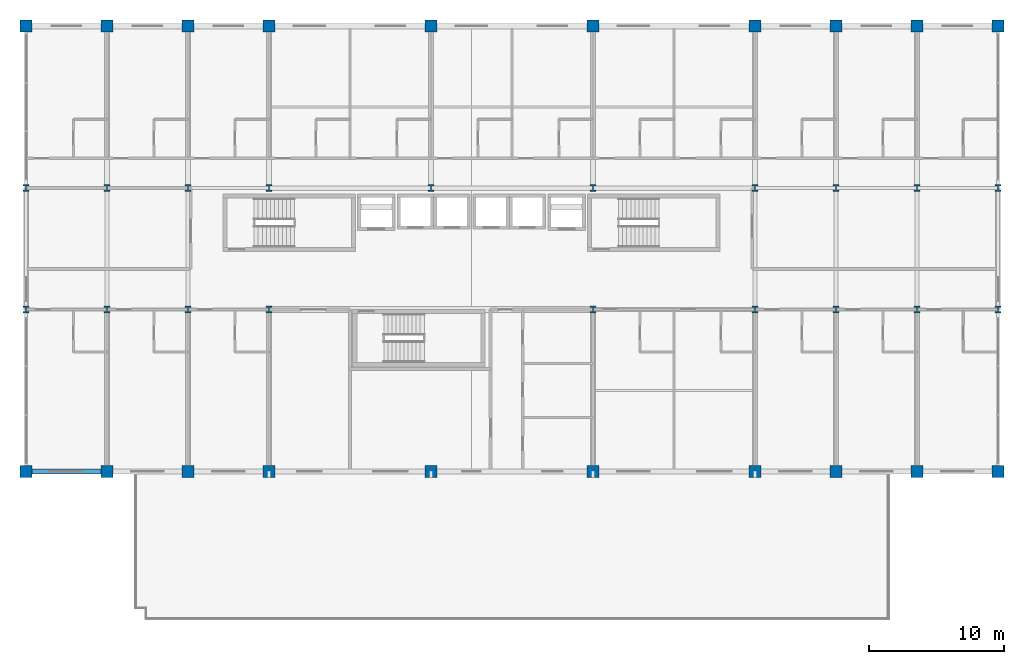
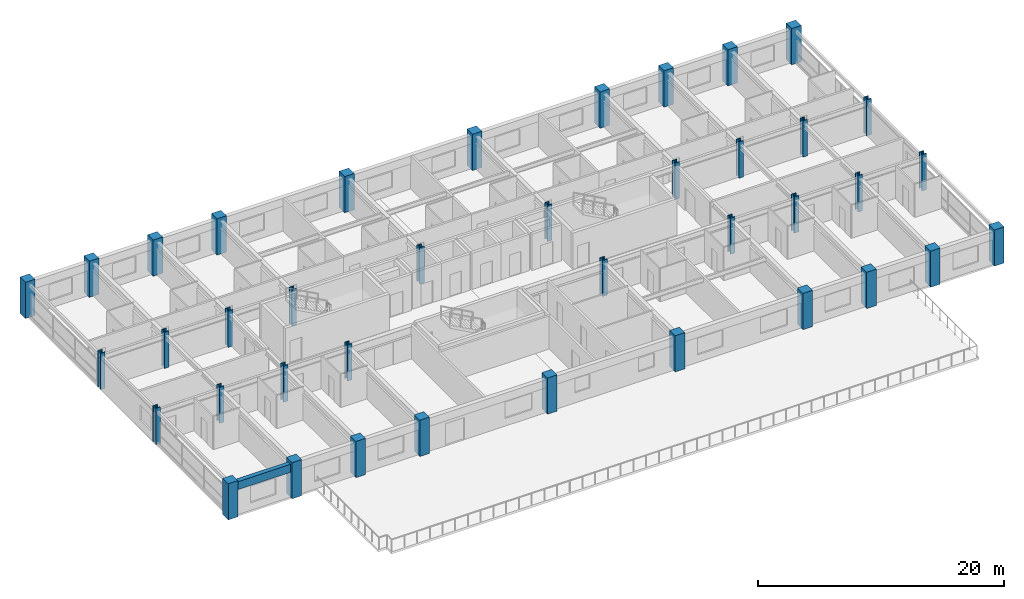
# One storey, part 1 of 24: 39 columns, 1 beam.
"""IFC4 building model written with IfcOpenShell, lengths in metres."""

import ifcopenshell
import ifcopenshell.guid

model = None  # the IFC model being written
_history = None  # IfcOwnerHistory: only IFC2X3 demands one
_inside = {}  # id of a spatial element -> (the spatial element, [elements in it])
_under = {}  # id of a project, library or spatial element -> (it, [spatial elements below it])
_declared = {}  # id of a project -> (the project, [libraries it declares])
_typed = {}  # id of a type object -> (the type object, [elements of that type])
_made_of = {}  # id of a material, layer set ... -> (it, [elements and type objects made of it])


def new_model(schema):
    """Start an empty IFC model of exactly this schema.

    Asked for "IFC4X3", IfcOpenShell would pick the latest addendum, in which some entities
    have other attributes; the version numbers below select the first issue.
    IFC2X3 requires an IfcOwnerHistory on every rooted entity: one is made here for all.
    """
    global model, _history
    if schema == "IFC4X3":
        model = ifcopenshell.file(schema_version=(4, 3, 0, 0))
    else:
        model = ifcopenshell.file(schema=schema)
    _inside.clear()
    _under.clear()
    _declared.clear()
    _typed.clear()
    _made_of.clear()
    _history = None
    if model.schema == "IFC2X3":
        org = make("IfcOrganization", Name="unknown")
        user = make(
            "IfcPersonAndOrganization",
            ThePerson=make("IfcPerson", FamilyName="unknown"),
            TheOrganization=org,
        )
        app = make(
            "IfcApplication",
            ApplicationDeveloper=org,
            Version="unknown",
            ApplicationFullName="unknown",
            ApplicationIdentifier="unknown",
        )
        _history = make(
            "IfcOwnerHistory",
            OwningUser=user,
            OwningApplication=app,
            ChangeAction="ADDED",
            CreationDate=0,
        )
    return model


def make(cls, **values):
    """One entity of the class cls with the attributes given. An attribute that is None is left unset."""
    return model.create_entity(
        cls, **{name: value for name, value in values.items() if value is not None}
    )


def rooted(cls, **values):
    """An entity with a GlobalId (a new one), such as an element, a storey or a relation."""
    return make(cls, GlobalId=ifcopenshell.guid.new(), OwnerHistory=_history, **values)


def si_unit(unit_type, name, prefix=None):
    """IfcSIUnit, for example si_unit("LENGTHUNIT", "METRE", prefix="MILLI")."""
    return make("IfcSIUnit", UnitType=unit_type, Prefix=prefix, Name=name)


def assignment(units):
    """IfcUnitAssignment: the units of a project."""
    return None if units is None else make("IfcUnitAssignment", Units=units)


def point(xyz):
    """IfcCartesianPoint."""
    return None if xyz is None else make("IfcCartesianPoint", Coordinates=xyz)


def direction(xyz):
    """IfcDirection."""
    return None if xyz is None else make("IfcDirection", DirectionRatios=xyz)


def frame(location, z_axis=None, x_axis=None):
    """IfcAxis2Placement3D, a coordinate frame: its origin and axes. An axis left out is left unset."""
    return make(
        "IfcAxis2Placement3D",
        Location=point(location),
        Axis=direction(z_axis),
        RefDirection=direction(x_axis),
    )


def frame_2d(location, x_axis=None):
    """IfcAxis2Placement2D, a coordinate frame in the plane: its origin and x axis."""
    return make(
        "IfcAxis2Placement2D", Location=point(location), RefDirection=direction(x_axis)
    )


def origin():
    """The frame at (0, 0, 0) with its axes left unset."""
    return frame((0.0, 0.0, 0.0))


def origin_2d():
    """The frame at (0, 0) in the plane with its x axis left unset."""
    return frame_2d((0.0, 0.0))


def place(relative_to, where):
    """IfcLocalPlacement: puts the frame where relative to a parent placement (None: the world)."""
    return make(
        "IfcLocalPlacement", PlacementRelTo=relative_to, RelativePlacement=where
    )


def context(
    kind, dimensions, precision=None, world=None, true_north=None, identifier=None
):
    """IfcGeometricRepresentationContext, for example the 3D "Model" context."""
    return make(
        "IfcGeometricRepresentationContext",
        ContextIdentifier=identifier,
        ContextType=kind,
        CoordinateSpaceDimension=dimensions,
        Precision=precision,
        WorldCoordinateSystem=world,
        TrueNorth=true_north,
    )


def subcontext(parent, identifier, kind, view, scale=None):
    """IfcGeometricRepresentationSubContext, for example "Body" below "Model"."""
    return make(
        "IfcGeometricRepresentationSubContext",
        ContextIdentifier=identifier,
        ContextType=kind,
        ParentContext=parent,
        TargetScale=scale,
        TargetView=view,
    )


def project(units=None, contexts=None):
    """IfcProject with its units and contexts."""
    return rooted(
        "IfcProject",
        Name="project",
        RepresentationContexts=contexts,
        UnitsInContext=assignment(units),
    )


def spatial(cls, under=None, at=None, **own):
    """A site, building, storey or space (cls), placed at a placement, below another one or the project."""
    s = rooted(cls, ObjectPlacement=at, **own)
    if under is not None:
        _under.setdefault(under.id(), (under, []))[1].append(s)
    return s


def profile(cls, at=None, kind="AREA", **sizes):
    """A parametric profile (cls). Its sizes go by their IFC names, for example OverallWidth=200.0."""
    return make(cls, ProfileType=kind, Position=at, **sizes)


def rectangle(**sizes):
    """IfcRectangleProfileDef."""
    return profile("IfcRectangleProfileDef", **sizes)


def i_section(**sizes):
    """IfcIShapeProfileDef."""
    return profile("IfcIShapeProfileDef", **sizes)


def extrude(swept, where, along, depth):
    """IfcExtrudedAreaSolid: the profile swept, set in the frame where, extruded along a direction by depth."""
    return make(
        "IfcExtrudedAreaSolid",
        SweptArea=swept,
        Position=where,
        ExtrudedDirection=direction(along),
        Depth=depth,
    )


def shape(context_of_items, identifier, shape_type, items):
    """IfcShapeRepresentation: the items that make up one representation, for example the "Body"."""
    return make(
        "IfcShapeRepresentation",
        ContextOfItems=context_of_items,
        RepresentationIdentifier=identifier,
        RepresentationType=shape_type,
        Items=items,
    )


def material(Name=None, Category=None):
    """IfcMaterial."""
    return make("IfcMaterial", Name=Name, Category=Category)


def material_profile(
    of_material, cross_section, Name=None, Category=None, Priority=None
):
    """IfcMaterialProfile: a cross section and its material."""
    return make(
        "IfcMaterialProfile",
        Name=Name,
        Material=of_material,
        Profile=cross_section,
        Priority=Priority,
        Category=Category,
    )


def profile_set(profiles, Name=None, composite=None):
    """IfcMaterialProfileSet."""
    return make(
        "IfcMaterialProfileSet",
        Name=Name,
        MaterialProfiles=profiles,
        CompositeProfile=composite,
    )


def made_of(thing, what):
    """Note that an element or type object is made of a material, layer set ...; save() writes the relation."""
    if what is not None:
        _made_of.setdefault(what.id(), (what, []))[1].append(thing)
    return thing


def type_object(cls, material=None, **own):
    """A type object (cls), such as IfcWallType, which elements share."""
    return made_of(rooted(cls, **own), material)


def element(
    cls,
    number,
    at=None,
    inside=None,
    cuts=None,
    type_object=None,
    material=None,
    context=None,
    identifier="Body",
    shape_type=None,
    held_by="IfcProductDefinitionShape",
    body=None,
    shapes=None,
    **own,
):
    """One element of the class cls, such as IfcWall. Its Tag is "e" and its number.

    at: its placement. inside: the storey or other place that contains it. cuts: it is an
    opening in that element (IfcRelVoidsElement). A single representation is given by context,
    identifier, shape_type and body (its items); several are given by shapes. held_by: the class
    of the entity that holds the representations. save() writes the other relations.
    """
    e = rooted(cls, Tag="e%d" % number, ObjectPlacement=at, **own)
    if body is not None:
        shapes = [shape(context, identifier, shape_type, body)]
    if shapes is not None:
        e.Representation = make(held_by, Representations=shapes)
    if inside is not None:
        _inside.setdefault(inside.id(), (inside, []))[1].append(e)
    if cuts is not None:
        rooted(
            "IfcRelVoidsElement", RelatingBuildingElement=cuts, RelatedOpeningElement=e
        )
    if type_object is not None:
        _typed.setdefault(type_object.id(), (type_object, []))[1].append(e)
    return made_of(e, material)


def aggregate(whole, parts):
    """IfcRelAggregates: a whole, such as a stair, and the parts it consists of."""
    return rooted("IfcRelAggregates", RelatingObject=whole, RelatedObjects=parts)


def save(model, path):
    """Write the relations noted so far, then the file.

    IfcRelAggregates (storeys below a building ...), IfcRelContainedInSpatialStructure (elements
    in a storey), IfcRelDefinesByType, IfcRelAssociatesMaterial and IfcRelDeclares: one each for
    every whole, place, type object, material and project.
    """
    for whole, parts in _under.values():
        aggregate(whole, parts)
    for where, things in _inside.values():
        rooted(
            "IfcRelContainedInSpatialStructure",
            RelatedElements=things,
            RelatingStructure=where,
        )
    for kind, things in _typed.values():
        rooted("IfcRelDefinesByType", RelatedObjects=things, RelatingType=kind)
    for what, things in _made_of.values():
        rooted("IfcRelAssociatesMaterial", RelatedObjects=things, RelatingMaterial=what)
    for by, libraries in _declared.values():
        rooted("IfcRelDeclares", RelatingContext=by, RelatedDefinitions=libraries)
    model.write(path)


model = new_model("IFC4")

# Units and contexts
model_context = context("Model", 3, precision=1e-05, world=origin(), true_north=direction((0.0, 1.0)))
body_context = subcontext(model_context, "Body", "Model", "MODEL_VIEW")
ifc_project = project(units=[si_unit("LENGTHUNIT", "METRE"), si_unit("AREAUNIT", "SQUARE_METRE"), si_unit("VOLUMEUNIT", "CUBIC_METRE"), si_unit("PLANEANGLEUNIT", "RADIAN"), si_unit("MASSUNIT", "GRAM", prefix="KILO")], contexts=[model_context])

# Site, building, storey
site_placement = place(None, origin())
site = spatial("IfcSite", under=ifc_project, at=site_placement, CompositionType="ELEMENT")
building_placement = place(site_placement, origin())
building = spatial("IfcBuilding", under=site, at=building_placement, Name="Kaldorvane Square Convention Centre", CompositionType="ELEMENT")
storey_placement = place(building_placement, frame((0.0, 0.0, 27.600006103515625)))
storey = spatial("IfcBuildingStorey", under=building, at=storey_placement, Name="L05", CompositionType="ELEMENT", Elevation=27.600006103515625)

# Columns
ifc_material_1 = material(Name="Concrete f'c = 55 MPa (Normalweight)", Category="concrete")
ifc_material_profile_1 = material_profile(ifc_material_1, rectangle(XDim=0.899993896484375, YDim=0.899993896484375, at=origin_2d()), Name="RC900X900")
ifc_profile_set_1 = profile_set([ifc_material_profile_1], Name="Concrete f'c = 55 MPa (Normalweight)")
column_type_1 = type_object("IfcColumnType", Name="COL-RC-900", PredefinedType="COLUMN", material=ifc_profile_set_1)
for number, where, z_axis, x_axis, name in (
    (1, (24.0, 84.0, 0.0), (0.0, 0.0, 1.0), (1.0, 0.0, 0.0), "Column CC-03 (L05)"),
    (2, (24.0, 117.0, 0.0), (0.0, 0.0, 1.0), (1.0, 0.0, 0.0), "Column CC-03 (L05)"),
    (3, (30.0, 84.0, 0.0), (0.0, 0.0, 1.0), (1.0, 0.0, 0.0), "Column CC-03 (L05)"),
    (4, (30.0, 117.0, 0.0), (0.0, 0.0, 1.0), (1.0, 0.0, 0.0), "Column CC-03 (L05)"),
    (5, (36.0, 84.0, 0.0), (0.0, 0.0, 1.0), (1.0, 0.0, 0.0), "Column CC-03 (L05)"),
    (6, (36.0, 117.0, 0.0), (0.0, 0.0, 1.0), (1.0, 0.0, 0.0), "Column CC-03 (L05)"),
    (7, (42.0, 84.0, 0.0), (0.0, 0.0, 1.0), (1.0, 0.0, 0.0), "Column CC-03 (L05)"),
    (8, (42.0, 117.0, 0.0), (0.0, 0.0, 1.0), (1.0, 0.0, 0.0), "Column CC-03 (L05)"),
    (9, (54.0, 84.0, 0.0), (0.0, 0.0, 1.0), (1.0, 0.0, 0.0), "Column CC-03 (L05)"),
    (10, (54.0, 117.0, 0.0), (0.0, 0.0, 1.0), (1.0, 0.0, 0.0), "Column CC-03 (L05)"),
    (11, (66.0, 84.0, 0.0), (0.0, 0.0, 1.0), (1.0, 0.0, 0.0), "Column CC-03 (L05)"),
    (12, (66.0, 117.0, 0.0), (0.0, 0.0, 1.0), (1.0, 0.0, 0.0), "Column CC-03 (L05)"),
    (13, (78.0, 84.0, 0.0), (0.0, 0.0, 1.0), (1.0, 0.0, 0.0), "Column CC-03 (L05)"),
    (14, (78.0, 117.0, 0.0), (0.0, 0.0, 1.0), (1.0, 0.0, 0.0), "Column CC-03 (L05)"),
    (15, (84.0, 84.0, 0.0), (0.0, 0.0, 1.0), (1.0, 0.0, 0.0), "Column CC-03 (L05)"),
    (16, (84.0, 117.0, 0.0), (0.0, 0.0, 1.0), (1.0, 0.0, 0.0), "Column CC-03 (L05)"),
    (17, (90.0, 84.0, 0.0), (0.0, 0.0, 1.0), (1.0, 0.0, 0.0), "Column CC-03 (L05)"),
    (18, (90.0, 117.0, 0.0), (0.0, 0.0, 1.0), (1.0, 0.0, 0.0), "Column CC-03 (L05)"),
    (19, (96.0, 84.0, 0.0), (0.0, 0.0, 1.0), (1.0, 0.0, 0.0), "Column CC-03 (L05)"),
    (20, (96.0, 117.0, 0.0), (0.0, 0.0, 1.0), (1.0, 0.0, 0.0), "Column CC-03 (L05)"),
):
    element("IfcColumn", number, at=place(storey_placement, frame(where, z_axis=z_axis, x_axis=x_axis)), inside=storey, type_object=column_type_1, Name=name, PredefinedType="COLUMN", context=body_context, shape_type="SweptSolid", body=[
        extrude(rectangle(XDim=0.899993896484375, YDim=0.899993896484375, at=origin_2d()), origin(), (0.0, 0.0, 1.0), 3.5999908447265625),
    ])
ifc_material_2 = material(Name="Steel ASTM A992 Gr. 50", Category="steel")
ifc_material_profile_2 = material_profile(ifc_material_2, i_section(OverallWidth=0.432098388671875, OverallDepth=0.497802734375, WebThickness=0.05560302734375, FlangeThickness=0.088897705078125, FilletRadius=0.0305023193359375, at=origin_2d()), Name="W14X500")
ifc_profile_set_2 = profile_set([ifc_material_profile_2], Name="Steel ASTM A992 Gr. 50")
column_type_2 = type_object("IfcColumnType", Name="COL-STL-500", PredefinedType="COLUMN", material=ifc_profile_set_2)
for number, where, z_axis, x_axis, name in (
    (21, (24.0, 96.0, 0.0), (0.0, 0.0, 1.0), (1.0, 0.0, 0.0), "Column SC-03 (L05)"),
    (22, (24.0, 105.0, 0.0), (0.0, 0.0, 1.0), (1.0, 0.0, 0.0), "Column SC-03 (L05)"),
    (23, (30.0, 96.0, 0.0), (0.0, 0.0, 1.0), (1.0, 0.0, 0.0), "Column SC-03 (L05)"),
    (24, (30.0, 105.0, 0.0), (0.0, 0.0, 1.0), (1.0, 0.0, 0.0), "Column SC-03 (L05)"),
    (25, (36.0, 96.0, 0.0), (0.0, 0.0, 1.0), (1.0, 0.0, 0.0), "Column SC-03 (L05)"),
    (26, (36.0, 105.0, 0.0), (0.0, 0.0, 1.0), (1.0, 0.0, 0.0), "Column SC-03 (L05)"),
    (27, (42.0, 96.0, 0.0), (0.0, 0.0, 1.0), (1.0, 0.0, 0.0), "Column SC-03 (L05)"),
    (28, (42.0, 105.0, 0.0), (0.0, 0.0, 1.0), (1.0, 0.0, 0.0), "Column SC-03 (L05)"),
    (29, (54.0, 105.0, 0.0), (0.0, 0.0, 1.0), (1.0, 0.0, 0.0), "Column SC-03 (L05)"),
    (30, (66.0, 96.0, 0.0), (0.0, 0.0, 1.0), (1.0, 0.0, 0.0), "Column SC-03 (L05)"),
    (31, (66.0, 105.0, 0.0), (0.0, 0.0, 1.0), (1.0, 0.0, 0.0), "Column SC-03 (L05)"),
    (32, (78.0, 96.0, 0.0), (0.0, 0.0, 1.0), (1.0, 0.0, 0.0), "Column SC-03 (L05)"),
    (33, (78.0, 105.0, 0.0), (0.0, 0.0, 1.0), (1.0, 0.0, 0.0), "Column SC-03 (L05)"),
    (34, (84.0, 96.0, 0.0), (0.0, 0.0, 1.0), (1.0, 0.0, 0.0), "Column SC-03 (L05)"),
    (35, (84.0, 105.0, 0.0), (0.0, 0.0, 1.0), (1.0, 0.0, 0.0), "Column SC-03 (L05)"),
    (36, (90.0, 96.0, 0.0), (0.0, 0.0, 1.0), (1.0, 0.0, 0.0), "Column SC-03 (L05)"),
    (37, (90.0, 105.0, 0.0), (0.0, 0.0, 1.0), (1.0, 0.0, 0.0), "Column SC-03 (L05)"),
    (38, (96.0, 96.0, 0.0), (0.0, 0.0, 1.0), (1.0, 0.0, 0.0), "Column SC-03 (L05)"),
    (39, (96.0, 105.0, 0.0), (0.0, 0.0, 1.0), (1.0, 0.0, 0.0), "Column SC-03 (L05)"),
):
    element("IfcColumn", number, at=place(storey_placement, frame(where, z_axis=z_axis, x_axis=x_axis)), inside=storey, type_object=column_type_2, Name=name, PredefinedType="COLUMN", context=body_context, shape_type="SweptSolid", body=[
        extrude(i_section(OverallWidth=0.432098388671875, OverallDepth=0.497802734375, WebThickness=0.05560302734375, FlangeThickness=0.088897705078125, FilletRadius=0.0305023193359375, at=origin_2d()), origin(), (0.0, 0.0, 1.0), 3.5999908447265625),
    ])

# Beam
ifc_material_3 = material(Name="Concrete f'c = 42 MPa (Normalweight)", Category="concrete")
ifc_material_profile_3 = material_profile(ifc_material_3, rectangle(XDim=0.399993896484375, YDim=0.8000030517578125, at=origin_2d()), Name="RCSP800X400")
ifc_profile_set_3 = profile_set([ifc_material_profile_3], Name="Concrete f'c = 42 MPa (Normalweight)")
beam_type = type_object("IfcBeamType", Name="BM-SP-RC800", PredefinedType="SPANDREL", material=ifc_profile_set_3)
beam_placement = place(storey_placement, frame((24.0, 84.0, 2.885986328125), z_axis=(1.0, 0.0, 0.0), x_axis=(0.0, 1.0, 0.0)))
element("IfcBeam", 40, at=beam_placement, inside=storey, type_object=beam_type, Name="Perimeter Spandrel (L05)", PredefinedType="SPANDREL", context=body_context, shape_type="SweptSolid", body=[
    extrude(rectangle(XDim=0.399993896484375, YDim=0.8000030517578125, at=origin_2d()), origin(), (0.0, 0.0, 1.0), 6.0),
])

save(model, "model.ifc")
